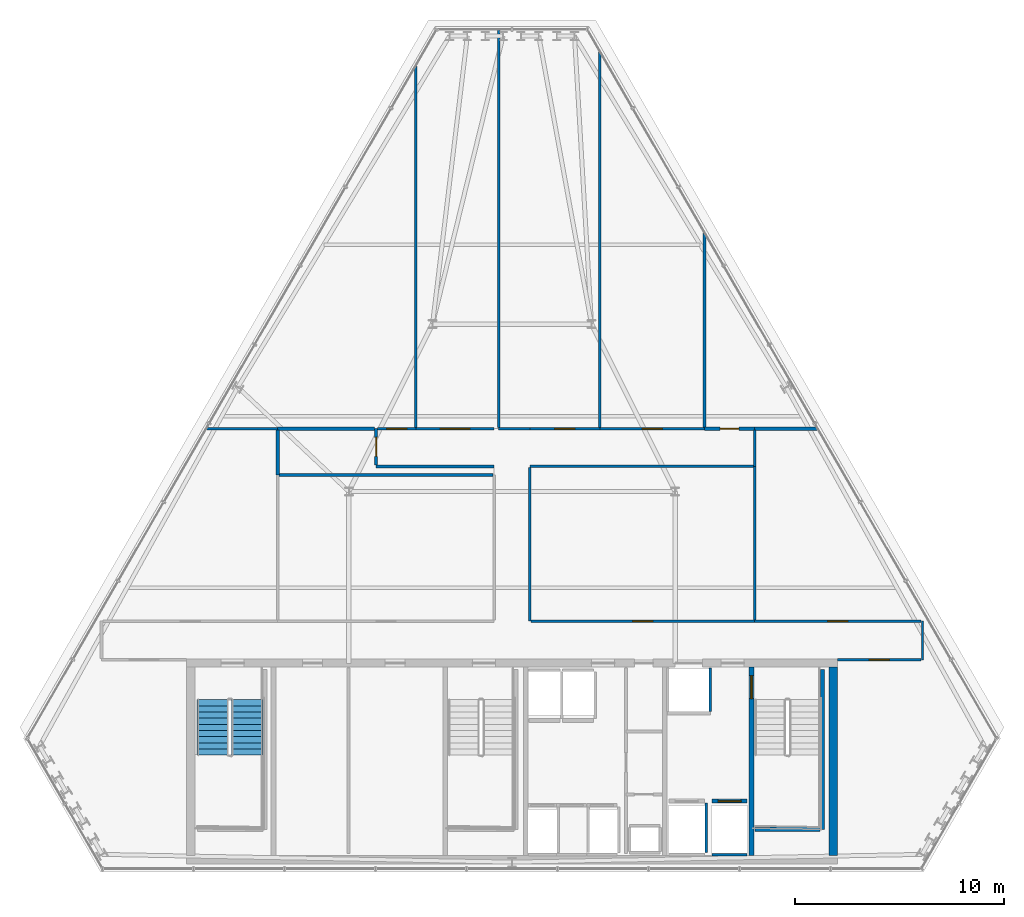
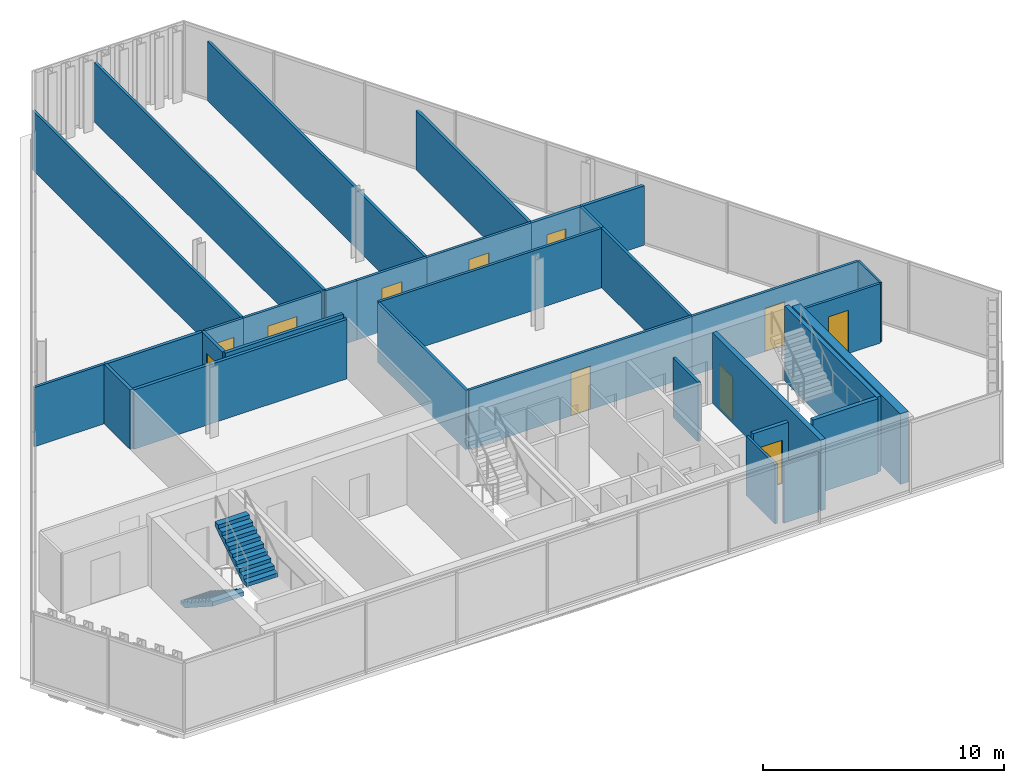
# One storey, part 25 of 29: 33 walls, 11 doors, 2 stair flights, 11 openings, 1 element without a shape of its own.
"""IFC4 building model written with IfcOpenShell, lengths in metres."""

from ifc_helpers import new_model, si_unit, direction, frame, frame_2d, origin, place, context, subcontext, project, spatial, polyline, rectangle, outline, extrude, material, layer, layer_set, type_object, element, fill, aggregate, save


model = new_model("IFC4")

# Units and contexts
model_context = context("Model", 3, precision=1e-05, world=origin(), true_north=direction((0.0, 1.0)))
body_context = subcontext(model_context, "Body", "Model", "MODEL_VIEW")
ifc_project = project(units=[si_unit("LENGTHUNIT", "METRE"), si_unit("AREAUNIT", "SQUARE_METRE"), si_unit("VOLUMEUNIT", "CUBIC_METRE"), si_unit("PLANEANGLEUNIT", "RADIAN"), si_unit("MASSUNIT", "GRAM", prefix="KILO")], contexts=[model_context])

# Site, building, storey
site_placement = place(None, origin())
site = spatial("IfcSite", under=ifc_project, at=site_placement, CompositionType="ELEMENT")
building_placement = place(site_placement, origin())
building = spatial("IfcBuilding", under=site, at=building_placement, Name="Ndaravel Arena Tower", CompositionType="ELEMENT")
storey_placement = place(building_placement, frame((0.0, 0.0, 229.39990234375)))
storey = spatial("IfcBuildingStorey", under=building, at=storey_placement, Name="L55", CompositionType="ELEMENT", Elevation=229.39990234375)

# Wall, opening, door
ifc_material_1 = material(Name="Concrete C50/60", Category="concrete")
ifc_layer_1 = layer(ifc_material_1, 0.219970703125)
ifc_layer_set_1 = layer_set([ifc_layer_1], Name="Concrete C50/60")
wall_type_1 = type_object("IfcWallType", Name="WALL-CORE-220", PredefinedType="SOLIDWALL", material=ifc_layer_set_1)
wall_1_placement = place(storey_placement, frame((53.449951171875, 5.800048828125, 0.0), z_axis=(0.0, 0.0, 1.0), x_axis=(0.0, 1.0, 0.0)))
wall_1 = element("IfcWall", 1, at=wall_1_placement, inside=storey, type_object=wall_type_1, Name="L55 Core Web Shear Wall 5", PredefinedType="SOLIDWALL", context=body_context, shape_type="SweptSolid", body=[
    extrude(rectangle(XDim=9.0, YDim=0.219970703125, at=frame_2d((4.5, 0.0))), origin(), (0.0, 0.0, 1.0), 3.580078125),
])
opening_1_placement = place(wall_1_placement, frame((7.5, 0.0, 0.0)))
opening_1 = element("IfcOpeningElement", 2, at=opening_1_placement, cuts=wall_1, Name="Opening FD-01", PredefinedType="OPENING", context=body_context, shape_type="SweptSolid", body=[
    extrude(rectangle(XDim=1.10009765625, YDim=2.199951171875, at=frame_2d((0.550048828125, 1.10009765625))), frame((0.0, 0.10986328125, 0.0), z_axis=(0.0, -1.0, 0.0), x_axis=(1.0, 0.0, 0.0)), (0.0, 0.0, 1.0), 0.219970703125),
])
ifc_material_2 = material(Name="Steel S355", Category="steel")
door_type_1 = type_object("IfcDoorType", Name="DT-01-STAIR-1100", OperationType="SINGLE_SWING_LEFT", PredefinedType="DOOR", material=ifc_material_2)
door_1_placement = place(opening_1_placement, origin())
door_1 = element("IfcDoor", 3, at=door_1_placement, inside=storey, type_object=door_type_1, Name="L55 Firefighting Lobby to ST-3 Door", OperationType="SINGLE_SWING_LEFT", OverallHeight=2.199951171875, OverallWidth=1.10009765625, PredefinedType="DOOR", context=body_context, shape_type="SweptSolid", body=[
    extrude(rectangle(XDim=1.10009765625, YDim=2.199951171875, at=frame_2d((0.550048828125, 1.10009765625))), frame((0.0, 0.02490234375, 0.0), z_axis=(0.0, -1.0, 0.0), x_axis=(1.0, 0.0, 0.0)), (0.0, 0.0, 1.0), 0.050048828125),
])
fill(opening_1, door_1)

# Walls
ifc_material_3 = material(Name="Concrete C50/60", Category="concrete")
ifc_layer_2 = layer(ifc_material_3, 0.39990234375)
ifc_layer_set_2 = layer_set([ifc_layer_2], Name="Concrete C50/60")
wall_type_2 = type_object("IfcWallType", Name="WALL-CORE-400", PredefinedType="SOLIDWALL", material=ifc_layer_set_2)
wall_2_placement = place(storey_placement, frame((57.35009765625, 5.800048828125, 0.0), z_axis=(0.0, 0.0, 1.0), x_axis=(0.0, 1.0, 0.0)))
element("IfcWall", 4, at=wall_2_placement, inside=storey, type_object=wall_type_2, Name="L55 Core East Shear Wall", PredefinedType="SOLIDWALL", context=body_context, shape_type="SweptSolid", body=[
    extrude(rectangle(XDim=9.0, YDim=0.39990234375, at=frame_2d((4.5, 0.0))), origin(), (0.0, 0.0, 1.0), 3.580078125),
])
ifc_material_4 = material(Name="Timber", Category="wood")
ifc_layer_3 = layer(ifc_material_4, 0.10009765625)
ifc_layer_set_3 = layer_set([ifc_layer_3], Name="Timber")
wall_type_3 = type_object("IfcWallType", Name="WALL-MOVABLE-100", PredefinedType="MOVABLE", material=ifc_layer_set_3)
wall_3_placement = place(storey_placement, frame((61.6220703125, 17.0, 0.0), z_axis=(0.0, 0.0, 1.0), x_axis=(0.0, -1.0, 0.0)))
element("IfcWall", 5, at=wall_3_placement, inside=storey, type_object=wall_type_3, Name="L55 Interior Partition 001", PredefinedType="MOVABLE", context=body_context, shape_type="SweptSolid", body=[
    extrude(rectangle(XDim=1.85009765625, YDim=0.10009765625, at=frame_2d((0.925048828125, 0.0))), origin(), (0.0, 0.0, 1.0), 3.010498046875),
])

# Wall, opening, door
ifc_material_5 = material(Name="Gypsum", Category="gypsum")
ifc_layer_4 = layer(ifc_material_5, 0.125)
ifc_layer_set_4 = layer_set([ifc_layer_4], Name="Gypsum")
wall_type_4 = type_object("IfcWallType", Name="WALL-PART-125", PredefinedType="PARTITIONING", material=ifc_layer_set_4)
wall_4_placement = place(storey_placement, frame((61.556884765625, 15.14990234375, 0.0), z_axis=(0.0, 0.0, 1.0), x_axis=(-1.0, 0.0, 0.0)))
wall_4 = element("IfcWall", 6, at=wall_4_placement, inside=storey, type_object=wall_type_4, Name="L55 Interior Partition 002", PredefinedType="PARTITIONING", context=body_context, shape_type="SweptSolid", body=[
    extrude(rectangle(XDim=4.0068359375, YDim=0.125, at=frame_2d((2.00341796875, 0.0))), origin(), (0.0, 0.0, 1.0), 3.010498046875),
])
opening_2_placement = place(wall_4_placement, frame((1.528564453125, 0.0, 0.0)))
opening_2 = element("IfcOpeningElement", 7, at=opening_2_placement, cuts=wall_4, Name="Opening ID-01", PredefinedType="OPENING", context=body_context, shape_type="SweptSolid", body=[
    extrude(rectangle(XDim=0.949951171875, YDim=2.199951171875, at=frame_2d((0.47509765625, 1.10009765625))), frame((0.0, 0.0625, 0.0), z_axis=(0.0, -1.0, 0.0), x_axis=(1.0, 0.0, 0.0)), (0.0, 0.0, 1.0), 0.125),
])
ifc_material_6 = material(Name="Timber", Category="wood")
door_type_2 = type_object("IfcDoorType", Name="DT-03-OFFICE-950", OperationType="SINGLE_SWING_LEFT", PredefinedType="DOOR", material=ifc_material_6)
door_2_placement = place(opening_2_placement, origin())
door_2 = element("IfcDoor", 8, at=door_2_placement, inside=storey, type_object=door_type_2, Name="L55 Floor Security Control Room Door", OperationType="SINGLE_SWING_LEFT", OverallHeight=2.199951171875, OverallWidth=0.949951171875, PredefinedType="DOOR", context=body_context, shape_type="SweptSolid", body=[
    extrude(rectangle(XDim=0.949951171875, YDim=2.199951171875, at=frame_2d((0.47509765625, 1.10009765625))), frame((0.0, 0.02490234375, 0.0), z_axis=(0.0, -1.0, 0.0), x_axis=(1.0, 0.0, 0.0)), (0.0, 0.0, 1.0), 0.050048828125),
])
fill(opening_2, door_2)

wall_5_placement = place(storey_placement, frame((35.56494140625, 26.199951171875, 0.0), z_axis=(0.0, 0.0, 1.0), x_axis=(1.0, 0.0, 0.0)))
wall_5 = element("IfcWall", 9, at=wall_5_placement, inside=storey, type_object=wall_type_4, Name="L55 Interior Partition 010", PredefinedType="PARTITIONING", context=body_context, shape_type="SweptSolid", body=[
    extrude(rectangle(XDim=1.8349609375, YDim=0.125, at=frame_2d((0.91748046875, 0.0))), origin(), (0.0, 0.0, 1.0), 3.010498046875),
])
opening_3_placement = place(wall_5_placement, frame((0.4423828125, 0.0, 0.0)))
opening_3 = element("IfcOpeningElement", 10, at=opening_3_placement, cuts=wall_5, Name="Opening ID-01", PredefinedType="OPENING", context=body_context, shape_type="SweptSolid", body=[
    extrude(rectangle(XDim=0.949951171875, YDim=2.199951171875, at=frame_2d((0.47509765625, 1.10009765625))), frame((0.0, 0.0625, 0.0), z_axis=(0.0, -1.0, 0.0), x_axis=(1.0, 0.0, 0.0)), (0.0, 0.0, 1.0), 0.125),
])
door_3_placement = place(opening_3_placement, origin())
door_3 = element("IfcDoor", 11, at=door_3_placement, inside=storey, type_object=door_type_2, Name="L55 Tenant Mail & Post Room 2 Door", OperationType="SINGLE_SWING_RIGHT", OverallHeight=2.199951171875, OverallWidth=0.949951171875, PredefinedType="DOOR", context=body_context, shape_type="SweptSolid", body=[
    extrude(rectangle(XDim=0.949951171875, YDim=2.199951171875, at=frame_2d((0.47509765625, 1.10009765625))), frame((0.0, 0.02490234375, 0.0), z_axis=(0.0, -1.0, 0.0), x_axis=(1.0, 0.0, 0.0)), (0.0, 0.0, 1.0), 0.050048828125),
])
fill(opening_3, door_3)

wall_6_placement = place(storey_placement, frame((37.39990234375, 26.199951171875, 0.0), z_axis=(0.0, 0.0, 1.0), x_axis=(1.0, 0.0, 0.0)))
wall_6 = element("IfcWall", 12, at=wall_6_placement, inside=storey, type_object=wall_type_4, Name="L55 Interior Partition 011", PredefinedType="PARTITIONING", context=body_context, shape_type="SweptSolid", body=[
    extrude(rectangle(XDim=3.75, YDim=0.125, at=frame_2d((1.875, 0.0))), origin(), (0.0, 0.0, 1.0), 3.010498046875),
])
opening_4_placement = place(wall_6_placement, frame((1.175048828125, 0.0, 0.0)))
opening_4 = element("IfcOpeningElement", 13, at=opening_4_placement, cuts=wall_6, Name="Opening ID-02", PredefinedType="OPENING", context=body_context, shape_type="SweptSolid", body=[
    extrude(rectangle(XDim=1.39990234375, YDim=2.199951171875, at=frame_2d((0.699951171875, 1.10009765625))), frame((0.0, 0.0625, 0.0), z_axis=(0.0, -1.0, 0.0), x_axis=(1.0, 0.0, 0.0)), (0.0, 0.0, 1.0), 0.125),
])
ifc_material_7 = material(Name="Timber", Category="wood")
door_type_3 = type_object("IfcDoorType", Name="DT-04-SUITE-1400", OperationType="DOUBLE_DOOR_SINGLE_SWING", PredefinedType="DOOR", material=ifc_material_7)
door_4_placement = place(opening_4_placement, origin())
door_4 = element("IfcDoor", 14, at=door_4_placement, inside=storey, type_object=door_type_3, Name="L55 Executive Dining Lounge 4 Door", OperationType="SINGLE_SWING_RIGHT", OverallHeight=2.199951171875, OverallWidth=1.39990234375, PredefinedType="DOOR", context=body_context, shape_type="SweptSolid", body=[
    extrude(rectangle(XDim=1.39990234375, YDim=2.199951171875, at=frame_2d((0.699951171875, 1.10009765625))), frame((0.0, 0.02490234375, 0.0), z_axis=(0.0, -1.0, 0.0), x_axis=(1.0, 0.0, 0.0)), (0.0, 0.0, 1.0), 0.050048828125),
])
fill(opening_4, door_4)

# Wall
wall_7_placement = place(storey_placement, frame((41.360107421875, 26.199951171875, 0.0), z_axis=(0.0, 0.0, 1.0), x_axis=(1.0, 0.0, 0.0)))
element("IfcWall", 15, at=wall_7_placement, inside=storey, type_object=wall_type_4, Name="L55 Interior Partition 012", PredefinedType="PARTITIONING", context=body_context, shape_type="SweptSolid", body=[
    extrude(rectangle(XDim=1.489990234375, YDim=0.125, at=frame_2d((0.7451171875, 0.0))), origin(), (0.0, 0.0, 1.0), 3.010498046875),
])

# Wall, opening, door
wall_8_placement = place(storey_placement, frame((42.85009765625, 26.199951171875, 0.0), z_axis=(0.0, 0.0, 1.0), x_axis=(1.0, 0.0, 0.0)))
wall_8 = element("IfcWall", 16, at=wall_8_placement, inside=storey, type_object=wall_type_4, Name="L55 Interior Partition 013", PredefinedType="PARTITIONING", context=body_context, shape_type="SweptSolid", body=[
    extrude(rectangle(XDim=3.349853515625, YDim=0.125, at=frame_2d((1.6748046875, 0.0))), origin(), (0.0, 0.0, 1.0), 3.010498046875),
])
opening_5_placement = place(wall_8_placement, frame((1.199951171875, 0.0, 0.0)))
opening_5 = element("IfcOpeningElement", 17, at=opening_5_placement, cuts=wall_8, Name="Opening ID-01", PredefinedType="OPENING", context=body_context, shape_type="SweptSolid", body=[
    extrude(rectangle(XDim=0.949951171875, YDim=2.199951171875, at=frame_2d((0.47509765625, 1.10009765625))), frame((0.0, 0.0625, 0.0), z_axis=(0.0, -1.0, 0.0), x_axis=(1.0, 0.0, 0.0)), (0.0, 0.0, 1.0), 0.125),
])
door_5_placement = place(opening_5_placement, origin())
door_5 = element("IfcDoor", 18, at=door_5_placement, inside=storey, type_object=door_type_2, Name="L55 Crew Support Room 4 Door", OperationType="SINGLE_SWING_LEFT", OverallHeight=2.199951171875, OverallWidth=0.949951171875, PredefinedType="DOOR", context=body_context, shape_type="SweptSolid", body=[
    extrude(rectangle(XDim=0.949951171875, YDim=2.199951171875, at=frame_2d((0.47509765625, 1.10009765625))), frame((0.0, 0.02490234375, 0.0), z_axis=(0.0, -1.0, 0.0), x_axis=(1.0, 0.0, 0.0)), (0.0, 0.0, 1.0), 0.050048828125),
])
fill(opening_5, door_5)

wall_9_placement = place(storey_placement, frame((46.199951171875, 26.199951171875, 0.0), z_axis=(0.0, 0.0, 1.0), x_axis=(1.0, 0.0, 0.0)))
wall_9 = element("IfcWall", 19, at=wall_9_placement, inside=storey, type_object=wall_type_4, Name="L55 Interior Partition 014", PredefinedType="PARTITIONING", context=body_context, shape_type="SweptSolid", body=[
    extrude(rectangle(XDim=5.001953125, YDim=0.125, at=frame_2d((2.5009765625, 0.0))), origin(), (0.0, 0.0, 1.0), 3.010498046875),
])
opening_6_placement = place(wall_9_placement, frame((2.02587890625, 0.0, 0.0)))
opening_6 = element("IfcOpeningElement", 20, at=opening_6_placement, cuts=wall_9, Name="Opening ID-01", PredefinedType="OPENING", context=body_context, shape_type="SweptSolid", body=[
    extrude(rectangle(XDim=0.949951171875, YDim=2.199951171875, at=frame_2d((0.47509765625, 1.10009765625))), frame((0.0, 0.0625, 0.0), z_axis=(0.0, -1.0, 0.0), x_axis=(1.0, 0.0, 0.0)), (0.0, 0.0, 1.0), 0.125),
])
door_6_placement = place(opening_6_placement, origin())
door_6 = element("IfcDoor", 21, at=door_6_placement, inside=storey, type_object=door_type_2, Name="L55 Facilities Operations Room 3 Door", OperationType="SINGLE_SWING_LEFT", OverallHeight=2.199951171875, OverallWidth=0.949951171875, PredefinedType="DOOR", context=body_context, shape_type="SweptSolid", body=[
    extrude(rectangle(XDim=0.949951171875, YDim=2.199951171875, at=frame_2d((0.47509765625, 1.10009765625))), frame((0.0, 0.02490234375, 0.0), z_axis=(0.0, -1.0, 0.0), x_axis=(1.0, 0.0, 0.0)), (0.0, 0.0, 1.0), 0.050048828125),
])
fill(opening_6, door_6)

# Walls
wall_10_placement = place(storey_placement, frame((53.60009765625, 26.135009765625, 0.0), z_axis=(0.0, 0.0, 1.0), x_axis=(0.0, -1.0, 0.0)))
element("IfcWall", 22, at=wall_10_placement, inside=storey, type_object=wall_type_4, Name="L55 Interior Partition 016", PredefinedType="PARTITIONING", context=body_context, shape_type="SweptSolid", body=[
    extrude(rectangle(XDim=1.735107421875, YDim=0.125, at=frame_2d((0.86767578125, 0.0))), origin(), (0.0, 0.0, 1.0), 3.010498046875),
])
wall_11_placement = place(storey_placement, frame((53.534912109375, 24.39990234375, 0.0), z_axis=(0.0, 0.0, 1.0), x_axis=(-1.0, 0.0, 0.0)))
element("IfcWall", 23, at=wall_11_placement, inside=storey, type_object=wall_type_4, Name="L55 Interior Partition 017", PredefinedType="PARTITIONING", context=body_context, shape_type="SweptSolid", body=[
    extrude(rectangle(XDim=10.684814453125, YDim=0.125, at=frame_2d((5.34228515625, 0.0))), origin(), (0.0, 0.0, 1.0), 3.010498046875),
])
wall_12_placement = place(storey_placement, frame((42.85009765625, 24.3349609375, 0.0), z_axis=(0.0, 0.0, 1.0), x_axis=(0.0, -1.0, 0.0)))
element("IfcWall", 24, at=wall_12_placement, inside=storey, type_object=wall_type_4, Name="L55 Interior Partition 018", PredefinedType="PARTITIONING", context=body_context, shape_type="SweptSolid", body=[
    extrude(rectangle(XDim=7.3349609375, YDim=0.125, at=frame_2d((3.66748046875, 0.0))), origin(), (0.0, 0.0, 1.0), 3.010498046875),
])

# Wall, opening, door
wall_13_placement = place(storey_placement, frame((42.9150390625, 17.0, 0.0), z_axis=(0.0, 0.0, 1.0), x_axis=(1.0, 0.0, 0.0)))
wall_13 = element("IfcWall", 25, at=wall_13_placement, inside=storey, type_object=wall_type_4, Name="L55 Interior Partition 019", PredefinedType="PARTITIONING", context=body_context, shape_type="SweptSolid", body=[
    extrude(rectangle(XDim=10.68505859375, YDim=0.125, at=frame_2d((5.342529296875, 0.0))), origin(), (0.0, 0.0, 1.0), 3.010498046875),
])
opening_7_placement = place(wall_13_placement, frame((4.867431640625, 0.0, 0.0)))
opening_7 = element("IfcOpeningElement", 26, at=opening_7_placement, cuts=wall_13, Name="Opening ID-01", PredefinedType="OPENING", context=body_context, shape_type="SweptSolid", body=[
    extrude(rectangle(XDim=0.949951171875, YDim=2.199951171875, at=frame_2d((0.47509765625, 1.10009765625))), frame((0.0, 0.0625, 0.0), z_axis=(0.0, -1.0, 0.0), x_axis=(1.0, 0.0, 0.0)), (0.0, 0.0, 1.0), 0.125),
])
door_7_placement = place(opening_7_placement, origin())
door_7 = element("IfcDoor", 27, at=door_7_placement, inside=storey, type_object=door_type_2, Name="L55 Design Bookshop Boutique Door", OperationType="SINGLE_SWING_LEFT", OverallHeight=2.199951171875, OverallWidth=0.949951171875, PredefinedType="DOOR", context=body_context, shape_type="SweptSolid", body=[
    extrude(rectangle(XDim=0.949951171875, YDim=2.199951171875, at=frame_2d((0.47509765625, 1.10009765625))), frame((0.0, 0.02490234375, 0.0), z_axis=(0.0, -1.0, 0.0), x_axis=(1.0, 0.0, 0.0)), (0.0, 0.0, 1.0), 0.050048828125),
])
fill(opening_7, door_7)

wall_14_placement = place(storey_placement, frame((53.60009765625, 17.0, 0.0), z_axis=(0.0, 0.0, 1.0), x_axis=(1.0, 0.0, 0.0)))
wall_14 = element("IfcWall", 28, at=wall_14_placement, inside=storey, type_object=wall_type_4, Name="L55 Interior Partition 020", PredefinedType="PARTITIONING", context=body_context, shape_type="SweptSolid", body=[
    extrude(rectangle(XDim=7.956787109375, YDim=0.125, at=frame_2d((3.978515625, 0.0))), origin(), (0.0, 0.0, 1.0), 3.010498046875),
])
opening_8_placement = place(wall_14_placement, frame((3.50341796875, 0.0, 0.0)))
opening_8 = element("IfcOpeningElement", 29, at=opening_8_placement, cuts=wall_14, Name="Opening ID-01", PredefinedType="OPENING", context=body_context, shape_type="SweptSolid", body=[
    extrude(rectangle(XDim=0.949951171875, YDim=2.199951171875, at=frame_2d((0.47509765625, 1.10009765625))), frame((0.0, 0.0625, 0.0), z_axis=(0.0, -1.0, 0.0), x_axis=(1.0, 0.0, 0.0)), (0.0, 0.0, 1.0), 0.125),
])
door_8_placement = place(opening_8_placement, origin())
door_8 = element("IfcDoor", 30, at=door_8_placement, inside=storey, type_object=door_type_2, Name="L55 Hospitality Sitting Room 2 Door", OperationType="SINGLE_SWING_RIGHT", OverallHeight=2.199951171875, OverallWidth=0.949951171875, PredefinedType="DOOR", context=body_context, shape_type="SweptSolid", body=[
    extrude(rectangle(XDim=0.949951171875, YDim=2.199951171875, at=frame_2d((0.47509765625, 1.10009765625))), frame((0.0, 0.02490234375, 0.0), z_axis=(0.0, -1.0, 0.0), x_axis=(1.0, 0.0, 0.0)), (0.0, 0.0, 1.0), 0.050048828125),
])
fill(opening_8, door_8)

# Walls
wall_15_placement = place(storey_placement, frame((53.60009765625, 24.39990234375, 0.0), z_axis=(0.0, 0.0, 1.0), x_axis=(0.0, -1.0, 0.0)))
element("IfcWall", 31, at=wall_15_placement, inside=storey, type_object=wall_type_4, Name="L55 Interior Partition 023", PredefinedType="PARTITIONING", context=body_context, shape_type="SweptSolid", body=[
    extrude(rectangle(XDim=7.3349609375, YDim=0.125, at=frame_2d((3.66748046875, 0.0))), origin(), (0.0, 0.0, 1.0), 3.010498046875),
])
wall_16_placement = place(storey_placement, frame((27.37939453125, 26.199951171875, 0.0), z_axis=(0.0, 0.0, 1.0), x_axis=(1.0, 0.0, 0.0)))
element("IfcWall", 32, at=wall_16_placement, inside=storey, type_object=wall_type_4, Name="L55 Interior Partition 025", PredefinedType="PARTITIONING", context=body_context, shape_type="SweptSolid", body=[
    extrude(rectangle(XDim=3.420654296875, YDim=0.125, at=frame_2d((1.71044921875, 0.0))), origin(), (0.0, 0.0, 1.0), 3.010498046875),
])
wall_17_placement = place(storey_placement, frame((37.39990234375, 43.556396484375, 0.0), z_axis=(0.0, 0.0, 1.0), x_axis=(0.0, -1.0, 0.0)))
element("IfcWall", 33, at=wall_17_placement, inside=storey, type_object=wall_type_4, Name="L55 Interior Partition 029", PredefinedType="PARTITIONING", context=body_context, shape_type="SweptSolid", body=[
    extrude(rectangle(XDim=17.29150390625, YDim=0.125, at=frame_2d((8.645751953125, 0.0))), origin(), (0.0, 0.0, 1.0), 3.010498046875),
])
wall_18_placement = place(storey_placement, frame((46.199951171875, 26.264892578125, 0.0), z_axis=(0.0, 0.0, 1.0), x_axis=(0.0, 1.0, 0.0)))
element("IfcWall", 34, at=wall_18_placement, inside=storey, type_object=wall_type_4, Name="L55 Interior Partition 030", PredefinedType="PARTITIONING", context=body_context, shape_type="SweptSolid", body=[
    extrude(rectangle(XDim=17.984375, YDim=0.125, at=frame_2d((8.9921875, 0.0))), origin(), (0.0, 0.0, 1.0), 3.010498046875),
])
wall_19_placement = place(storey_placement, frame((41.360107421875, 45.288818359375, 0.0), z_axis=(0.0, 0.0, 1.0), x_axis=(0.0, -1.0, 0.0)))
element("IfcWall", 35, at=wall_19_placement, inside=storey, type_object=wall_type_4, Name="L55 Interior Partition 031", PredefinedType="PARTITIONING", context=body_context, shape_type="SweptSolid", body=[
    extrude(rectangle(XDim=19.02392578125, YDim=0.125, at=frame_2d((9.511962890625, 0.0))), origin(), (0.0, 0.0, 1.0), 3.010498046875),
])
ifc_material_8 = material(Name="Concrete C40/50", Category="concrete")
ifc_layer_5 = layer(ifc_material_8, 0.1201171875)
ifc_layer_set_5 = layer_set([ifc_layer_5], Name="Concrete C40/50")
wall_type_5 = type_object("IfcWallType", Name="WALL-SHAFT-120", PredefinedType="SOLIDWALL", material=ifc_layer_set_5)
wall_20_placement = place(storey_placement, frame((51.27490234375, 5.929931640625, 0.0), z_axis=(0.0, 0.0, 1.0), x_axis=(0.0, 1.0, 0.0)))
element("IfcWall", 36, at=wall_20_placement, inside=storey, type_object=wall_type_5, Name="L55 FFL-1 Shaft Side R Wall", PredefinedType="SOLIDWALL", context=body_context, shape_type="SweptSolid", body=[
    extrude(rectangle(XDim=2.380126953125, YDim=0.1201171875, at=frame_2d((1.18994140625, 0.0))), origin(), (0.0, 0.0, 1.0), 3.010498046875),
])
wall_21_placement = place(storey_placement, frame((51.554931640625, 5.840087890625, 0.0), z_axis=(0.0, 0.0, 1.0), x_axis=(1.0, 0.0, 0.0)))
element("IfcWall", 37, at=wall_21_placement, inside=storey, type_object=wall_type_5, Name="L55 FFL-2 Shaft Rear Wall", PredefinedType="SOLIDWALL", context=body_context, shape_type="SweptSolid", body=[
    extrude(rectangle(XDim=1.690185546875, YDim=0.1201171875, at=frame_2d((0.84521484375, 0.0))), origin(), (0.0, 0.0, 1.0), 3.010498046875),
])
wall_22_placement = place(storey_placement, frame((51.47998046875, 12.68994140625, 0.0), z_axis=(0.0, 0.0, 1.0), x_axis=(0.0, 1.0, 0.0)))
element("IfcWall", 38, at=wall_22_placement, inside=storey, type_object=wall_type_5, Name="L55 SVL-1 Shaft E Wall", PredefinedType="SOLIDWALL", context=body_context, shape_type="SweptSolid", body=[
    extrude(rectangle(XDim=2.070068359375, YDim=0.1201171875, at=frame_2d((1.03515625, 0.0))), origin(), (0.0, 0.0, 1.0), 3.010498046875),
])
ifc_material_9 = material(Name="Concrete C40/50", Category="concrete")
ifc_layer_6 = layer(ifc_material_9, 0.199951171875)
ifc_layer_set_6 = layer_set([ifc_layer_6], Name="Concrete C40/50")
wall_type_6 = type_object("IfcWallType", Name="WALL-SHAFT-200", PredefinedType="SOLIDWALL", material=ifc_layer_set_6)
wall_23_placement = place(storey_placement, frame((56.840087890625, 14.699951171875, 0.0), z_axis=(0.0, 0.0, 1.0), x_axis=(0.0, -1.0, 0.0)))
element("IfcWall", 39, at=wall_23_placement, inside=storey, type_object=wall_type_6, Name="L55 ST-3 Structural Shaft Wall Right", PredefinedType="SOLIDWALL", context=body_context, shape_type="SweptSolid", body=[
    extrude(rectangle(XDim=7.64990234375, YDim=0.199951171875, at=frame_2d((3.824951171875, 0.0))), origin(), (0.0, 0.0, 1.0), 3.800048828125),
])
wall_24_placement = place(storey_placement, frame((53.6201171875, 7.050048828125, 0.0), z_axis=(0.0, 0.0, 1.0), x_axis=(1.0, 0.0, 0.0)))
element("IfcWall", 40, at=wall_24_placement, inside=storey, type_object=wall_type_6, Name="L55 ST-3 Structural Shaft Wall Far", PredefinedType="SOLIDWALL", context=body_context, shape_type="SweptSolid", body=[
    extrude(rectangle(XDim=3.114990234375, YDim=0.199951171875, at=frame_2d((1.5576171875, 0.0))), origin(), (0.0, 0.0, 1.0), 3.800048828125),
])

# Wall, opening, door
wall_25_placement = place(storey_placement, frame((51.554931640625, 8.39990234375, 0.0), z_axis=(0.0, 0.0, 1.0), x_axis=(1.0, 0.0, 0.0)))
wall_25 = element("IfcWall", 41, at=wall_25_placement, inside=storey, type_object=wall_type_6, Name="L55 FFL-2 Shaft Landing Wall", PredefinedType="SOLIDWALL", context=body_context, shape_type="SweptSolid", body=[
    extrude(rectangle(XDim=1.690185546875, YDim=0.179931640625, at=frame_2d((0.84521484375, 0.0))), origin(), (0.0, 0.0, 1.0), 3.010498046875),
])
opening_9_placement = place(wall_25_placement, frame((0.294921875, 0.0, 0.0)))
opening_9 = element("IfcOpeningElement", 42, at=opening_9_placement, cuts=wall_25, Name="Opening LD-01", PredefinedType="OPENING", context=body_context, shape_type="SweptSolid", body=[
    extrude(rectangle(XDim=1.10009765625, YDim=2.199951171875, at=frame_2d((0.550048828125, 1.10009765625))), frame((0.0, 0.08984375, 0.0), z_axis=(0.0, -1.0, 0.0), x_axis=(1.0, 0.0, 0.0)), (0.0, 0.0, 1.0), 0.179931640625),
])
ifc_material_10 = material(Name="Steel S355", Category="steel")
door_type_4 = type_object("IfcDoorType", Name="DT-06-LIFT-1100", OperationType="SLIDING_TO_LEFT", PredefinedType="DOOR", material=ifc_material_10)
door_9_placement = place(opening_9_placement, origin())
door_9 = element("IfcDoor", 43, at=door_9_placement, inside=storey, type_object=door_type_4, Name="L55 Lift FFL-2 Sliding Landing Door", OperationType="SLIDING_TO_LEFT", OverallHeight=2.199951171875, OverallWidth=1.10009765625, PredefinedType="DOOR", context=body_context, shape_type="SweptSolid", body=[
    extrude(rectangle(XDim=1.10009765625, YDim=2.199951171875, at=frame_2d((0.550048828125, 1.10009765625))), frame((0.0, 0.02490234375, 0.0), z_axis=(0.0, -1.0, 0.0), x_axis=(1.0, 0.0, 0.0)), (0.0, 0.0, 1.0), 0.050048828125),
])
fill(opening_9, door_9)

# Wall
ifc_material_11 = material(Name="Masonry", Category="masonry")
ifc_layer_7 = layer(ifc_material_11, 0.14990234375)
ifc_layer_set_7 = layer_set([ifc_layer_7], Name="Masonry")
wall_type_7 = type_object("IfcWallType", Name="WALL-WET-150", PredefinedType="PARTITIONING", material=ifc_layer_set_7)
wall_26_placement = place(storey_placement, frame((41.14990234375, 24.39990234375, 0.0), z_axis=(0.0, 0.0, 1.0), x_axis=(-1.0, 0.0, 0.0)))
element("IfcWall", 44, at=wall_26_placement, inside=storey, type_object=wall_type_7, Name="L55 Interior Partition 008", PredefinedType="PARTITIONING", context=body_context, shape_type="SweptSolid", body=[
    extrude(rectangle(XDim=5.64990234375, YDim=0.14990234375, at=frame_2d((2.824951171875, 0.0))), origin(), (0.0, 0.0, 1.0), 3.010498046875),
])

# Wall, opening, door
wall_27_placement = place(storey_placement, frame((35.5, 24.465087890625, 0.0), z_axis=(0.0, 0.0, 1.0), x_axis=(0.0, 1.0, 0.0)))
wall_27 = element("IfcWall", 45, at=wall_27_placement, inside=storey, type_object=wall_type_7, Name="L55 Interior Partition 009", PredefinedType="PARTITIONING", context=body_context, shape_type="SweptSolid", body=[
    extrude(rectangle(XDim=1.73486328125, YDim=0.14990234375, at=frame_2d((0.867431640625, 0.0))), origin(), (0.0, 0.0, 1.0), 3.010498046875),
])
opening_10_placement = place(wall_27_placement, frame((0.41748046875, 0.0, 0.0)))
opening_10 = element("IfcOpeningElement", 46, at=opening_10_placement, cuts=wall_27, Name="Opening WD-01", PredefinedType="OPENING", context=body_context, shape_type="SweptSolid", body=[
    extrude(rectangle(XDim=0.89990234375, YDim=2.14990234375, at=frame_2d((0.449951171875, 1.074951171875))), frame((0.0, 0.074951171875, 0.0), z_axis=(0.0, -1.0, 0.0), x_axis=(1.0, 0.0, 0.0)), (0.0, 0.0, 1.0), 0.14990234375),
])
ifc_material_12 = material(Name="Timber", Category="wood")
door_type_5 = type_object("IfcDoorType", Name="DT-05-WC-900", OperationType="SINGLE_SWING_LEFT", PredefinedType="DOOR", material=ifc_material_12)
door_10_placement = place(opening_10_placement, origin())
door_10 = element("IfcDoor", 47, at=door_10_placement, inside=storey, type_object=door_type_5, Name="L55 Male Staff & Visitor Restroom Door", OperationType="SINGLE_SWING_RIGHT", OverallHeight=2.14990234375, OverallWidth=0.89990234375, PredefinedType="DOOR", context=body_context, shape_type="SweptSolid", body=[
    extrude(rectangle(XDim=0.89990234375, YDim=2.14990234375, at=frame_2d((0.449951171875, 1.074951171875))), frame((0.0, 0.02490234375, 0.0), z_axis=(0.0, -1.0, 0.0), x_axis=(1.0, 0.0, 0.0)), (0.0, 0.0, 1.0), 0.050048828125),
])
fill(opening_10, door_10)

wall_28_placement = place(storey_placement, frame((51.201904296875, 26.199951171875, 0.0), z_axis=(0.0, 0.0, 1.0), x_axis=(1.0, 0.0, 0.0)))
wall_28 = element("IfcWall", 48, at=wall_28_placement, inside=storey, type_object=wall_type_7, Name="L55 Interior Partition 015", PredefinedType="PARTITIONING", context=body_context, shape_type="SweptSolid", body=[
    extrude(rectangle(XDim=2.398193359375, YDim=0.14990234375, at=frame_2d((1.19921875, 0.0))), origin(), (0.0, 0.0, 1.0), 3.010498046875),
])
opening_11_placement = place(wall_28_placement, frame((0.7490234375, 0.0, 0.0)))
opening_11 = element("IfcOpeningElement", 49, at=opening_11_placement, cuts=wall_28, Name="Opening WD-01", PredefinedType="OPENING", context=body_context, shape_type="SweptSolid", body=[
    extrude(rectangle(XDim=0.89990234375, YDim=2.14990234375, at=frame_2d((0.449951171875, 1.074951171875))), frame((0.0, 0.074951171875, 0.0), z_axis=(0.0, -1.0, 0.0), x_axis=(1.0, 0.0, 0.0)), (0.0, 0.0, 1.0), 0.14990234375),
])
door_11_placement = place(opening_11_placement, origin())
door_11 = element("IfcDoor", 50, at=door_11_placement, inside=storey, type_object=door_type_5, Name="L55 Female & Accessible Restroom Door", OperationType="SINGLE_SWING_LEFT", OverallHeight=2.14990234375, OverallWidth=0.89990234375, PredefinedType="DOOR", context=body_context, shape_type="SweptSolid", body=[
    extrude(rectangle(XDim=0.89990234375, YDim=2.14990234375, at=frame_2d((0.449951171875, 1.074951171875))), frame((0.0, 0.02490234375, 0.0), z_axis=(0.0, -1.0, 0.0), x_axis=(1.0, 0.0, 0.0)), (0.0, 0.0, 1.0), 0.050048828125),
])
fill(opening_11, door_11)

# Walls
wall_29_placement = place(storey_placement, frame((30.864990234375, 23.991943359375, 0.0), z_axis=(0.0, 0.0, 1.0), x_axis=(1.0, 0.0, 0.0)))
element("IfcWall", 51, at=wall_29_placement, inside=storey, type_object=wall_type_7, Name="L55 Interior Partition 022", PredefinedType="PARTITIONING", context=body_context, shape_type="SweptSolid", body=[
    extrude(rectangle(XDim=10.219970703125, YDim=0.14990234375, at=frame_2d((5.10986328125, 0.0))), origin(), (0.0, 0.0, 1.0), 3.010498046875),
])
wall_30_placement = place(storey_placement, frame((53.60009765625, 26.199951171875, 0.0), z_axis=(0.0, 0.0, 1.0), x_axis=(1.0, 0.0, 0.0)))
element("IfcWall", 52, at=wall_30_placement, inside=storey, type_object=wall_type_7, Name="L55 Interior Partition 024", PredefinedType="PARTITIONING", context=body_context, shape_type="SweptSolid", body=[
    extrude(rectangle(XDim=3.0205078125, YDim=0.14990234375, at=frame_2d((1.51025390625, 0.0))), origin(), (0.0, 0.0, 1.0), 3.010498046875),
])
wall_31_placement = place(storey_placement, frame((30.800048828125, 26.135009765625, 0.0), z_axis=(0.0, 0.0, 1.0), x_axis=(0.0, -1.0, 0.0)))
element("IfcWall", 53, at=wall_31_placement, inside=storey, type_object=wall_type_7, Name="L55 Interior Partition 026", PredefinedType="PARTITIONING", context=body_context, shape_type="SweptSolid", body=[
    extrude(rectangle(XDim=2.14306640625, YDim=0.14990234375, at=frame_2d((1.071533203125, 0.0))), origin(), (0.0, 0.0, 1.0), 3.010498046875),
])
wall_32_placement = place(storey_placement, frame((30.800048828125, 26.199951171875, 0.0), z_axis=(0.0, 0.0, 1.0), x_axis=(1.0, 0.0, 0.0)))
element("IfcWall", 54, at=wall_32_placement, inside=storey, type_object=wall_type_7, Name="L55 Interior Partition 027", PredefinedType="PARTITIONING", context=body_context, shape_type="SweptSolid", body=[
    extrude(rectangle(XDim=4.635009765625, YDim=0.14990234375, at=frame_2d((2.3173828125, 0.0))), origin(), (0.0, 0.0, 1.0), 3.010498046875),
])
wall_33_placement = place(storey_placement, frame((51.201904296875, 26.264892578125, 0.0), z_axis=(0.0, 0.0, 1.0), x_axis=(0.0, 1.0, 0.0)))
element("IfcWall", 55, at=wall_33_placement, inside=storey, type_object=wall_type_7, Name="L55 Interior Partition 028", PredefinedType="PARTITIONING", context=body_context, shape_type="SweptSolid", body=[
    extrude(rectangle(XDim=9.32080078125, YDim=0.14990234375, at=frame_2d((4.660400390625, 0.0))), origin(), (0.0, 0.0, 1.0), 3.010498046875),
])

# Stair, stair flights
ifc_material_13 = material(Name="Concrete C40/50", Category="concrete")
stair_type = type_object("IfcStairType", Name="STAIR-CORE-HT", PredefinedType="HALF_TURN_STAIR", material=ifc_material_13)
stair_placement = place(storey_placement, origin())
stair = element("IfcStair", 56, at=stair_placement, inside=storey, type_object=stair_type, Name="L55 ST-1", PredefinedType="HALF_TURN_STAIR")
ifc_material_14 = material(Name="Concrete C40/50", Category="concrete")
stair_flight_type = type_object("IfcStairFlightType", Name="SFLIGHT-CORE-1680", PredefinedType="STRAIGHT", material=ifc_material_14)
stair_flight_1_placement = place(storey_placement, frame((27.699951171875, 13.25, 0.0), z_axis=(0.0, 0.0, 1.0), x_axis=(0.0, -1.0, 0.0)))
stair_flight_1 = element("IfcStairFlight", 57, at=stair_flight_1_placement, type_object=stair_flight_type, Name="ST-1 flight 1", NumberOfRisers=10, NumberOfTreads=9, PredefinedType="STRAIGHT", RiserHeight=0.19, TreadLength=0.295, context=body_context, shape_type="SweptSolid", body=[
    extrude(outline(polyline([(0.0, 0.0), (0.0, 0.18994140625), (0.294921875, 0.18994140625), (0.294921875, 0.3798828125), (0.590087890625, 0.3798828125), (0.590087890625, 0.570068359375), (0.885009765625, 0.570068359375), (0.885009765625, 0.760009765625), (1.179931640625, 0.760009765625), (1.179931640625, 0.949951171875), (1.47509765625, 0.949951171875), (1.47509765625, 1.139892578125), (1.77001953125, 1.139892578125), (1.77001953125, 1.330078125), (2.06494140625, 1.330078125), (2.06494140625, 1.52001953125), (2.360107421875, 1.52001953125), (2.360107421875, 1.7099609375), (2.655029296875, 1.7099609375), (2.655029296875, 1.89990234375), (2.655029296875, 1.49609375), (0.332275390625, 0.0), (0.0, 0.0)])), frame((0.0, 0.75, 0.0), z_axis=(0.0, -1.0, 0.0), x_axis=(1.0, 0.0, 0.0)), (0.0, 0.0, 1.0), 1.5),
])
stair_flight_2_placement = place(storey_placement, frame((29.340087890625, 10.594970703125, 1.900146484375), z_axis=(0.0, 0.0, 1.0), x_axis=(0.0, 1.0, 0.0)))
stair_flight_2 = element("IfcStairFlight", 58, at=stair_flight_2_placement, type_object=stair_flight_type, Name="ST-1 flight 2", NumberOfRisers=10, NumberOfTreads=9, PredefinedType="STRAIGHT", RiserHeight=0.19, TreadLength=0.295, context=body_context, shape_type="SweptSolid", body=[
    extrude(outline(polyline([(0.0, 0.0), (0.0, 0.18994140625), (0.294921875, 0.18994140625), (0.294921875, 0.3798828125), (0.590087890625, 0.3798828125), (0.590087890625, 0.570068359375), (0.885009765625, 0.570068359375), (0.885009765625, 0.760009765625), (1.179931640625, 0.760009765625), (1.179931640625, 0.949951171875), (1.47509765625, 0.949951171875), (1.47509765625, 1.139892578125), (1.77001953125, 1.139892578125), (1.77001953125, 1.330078125), (2.06494140625, 1.330078125), (2.06494140625, 1.52001953125), (2.360107421875, 1.52001953125), (2.360107421875, 1.7099609375), (2.655029296875, 1.7099609375), (2.655029296875, 1.89990234375), (2.655029296875, 1.49609375), (0.332275390625, 0.0), (0.0, 0.0)])), frame((0.0, 0.75, 0.0), z_axis=(0.0, -1.0, 0.0), x_axis=(1.0, 0.0, 0.0)), (0.0, 0.0, 1.0), 1.5),
])
aggregate(stair, [stair_flight_1, stair_flight_2])

save(model, "model.ifc")
